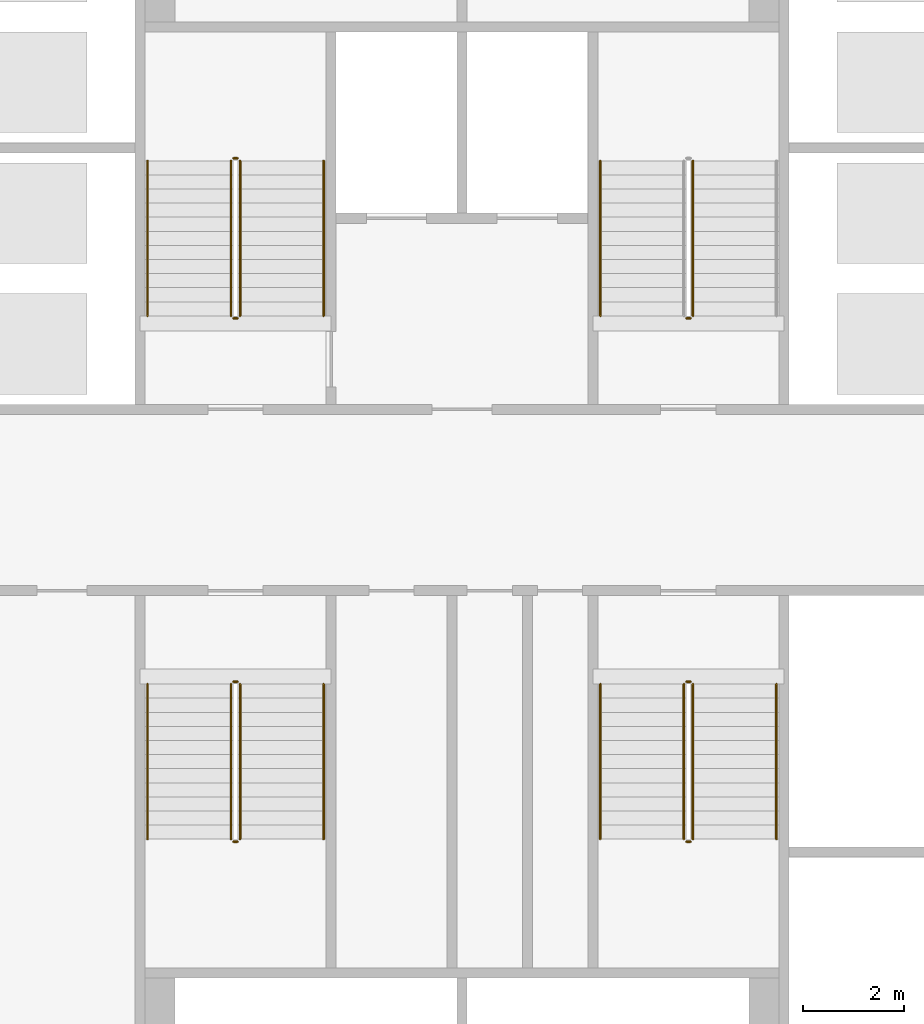
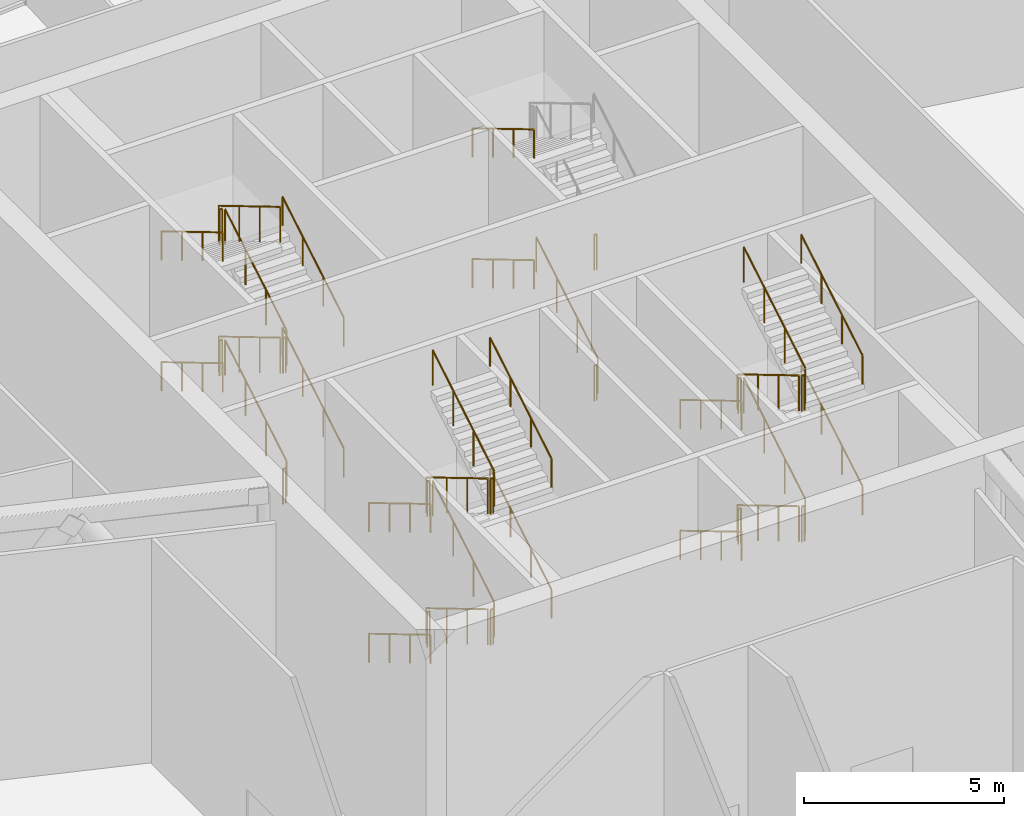
# One storey, part 50 of 55: 41 railings.
"""IFC4 building model written with IfcOpenShell, lengths in metres."""

from ifc_helpers import new_model, si_unit, direction, frame, origin, origin_2d, place, context, subcontext, project, spatial, circle, extrude, material, type_object, element, save


model = new_model("IFC4")

# Units and contexts
model_context = context("Model", 3, precision=1e-05, world=origin(), true_north=direction((0.0, 1.0)))
body_context = subcontext(model_context, "Body", "Model", "MODEL_VIEW")
ifc_project = project(units=[si_unit("LENGTHUNIT", "METRE"), si_unit("AREAUNIT", "SQUARE_METRE"), si_unit("VOLUMEUNIT", "CUBIC_METRE"), si_unit("PLANEANGLEUNIT", "RADIAN"), si_unit("MASSUNIT", "GRAM", prefix="KILO")], contexts=[model_context])

# Site, building, storey
site_placement = place(None, origin())
site = spatial("IfcSite", under=ifc_project, at=site_placement, CompositionType="ELEMENT")
building_placement = place(site_placement, origin())
building = spatial("IfcBuilding", under=site, at=building_placement, Name="Tarsis Ring Headquarters", CompositionType="ELEMENT")
storey_placement = place(building_placement, frame((0.0, 0.0, 247.199951171875)))
storey = spatial("IfcBuildingStorey", under=building, at=storey_placement, Name="L58", CompositionType="ELEMENT", Elevation=247.199951171875)

# Railings
ifc_material = material(Name="Steel S355", Category="steel")
railing_type_1 = type_object("IfcRailingType", Name="Core stair guard 1100", PredefinedType="GUARDRAIL", material=ifc_material)
railing_1_placement = place(storey_placement, frame((-4.409912109375, 3.659912109375, 0.166748046875)))
element("IfcRailing", 1, at=railing_1_placement, inside=storey, type_object=railing_type_1, Name="L58 ST1 stair guard 1", PredefinedType="GUARDRAIL", context=body_context, shape_type="SweptSolid", body=[
    extrude(circle(Radius=0.02392578125, at=origin_2d()), frame((0.0, 0.0, 1.076171875), z_axis=(0.0, 0.859308565015, 0.511457515432), x_axis=(-1.0, 0.0, 0.0)), (0.0, 0.0, 1.0), 3.58447265625),
    extrude(circle(Radius=0.02099609375, at=origin_2d()), origin(), (0.0, 0.0, 1.0), 1.052001953125),
    extrude(circle(Radius=0.02099609375, at=origin_2d()), frame((0.0, 1.026611328125, 0.611083984375)), (0.0, 0.0, 1.0), 1.052001953125),
    extrude(circle(Radius=0.02099609375, at=origin_2d()), frame((0.0, 2.053466796875, 1.22216796875)), (0.0, 0.0, 1.0), 1.052001953125),
    extrude(circle(Radius=0.02099609375, at=origin_2d()), frame((0.0, 3.080078125, 1.833251953125)), (0.0, 0.0, 1.0), 1.052001953125),
])
railing_2_placement = place(storey_placement, frame((-4.4599609375, 6.7900390625, 2.0)))
element("IfcRailing", 2, at=railing_2_placement, inside=storey, type_object=railing_type_1, Name="L58 ST1 stair guard 2", PredefinedType="GUARDRAIL", context=body_context, shape_type="SweptSolid", body=[
    extrude(circle(Radius=0.02392578125, at=origin_2d()), frame((0.0, 0.0, 1.076171875), z_axis=(-1.0, 0.0, 0.0), x_axis=(0.0, -1.0, 0.0)), (0.0, 0.0, 1.0), 0.080078125),
    extrude(circle(Radius=0.02099609375, at=origin_2d()), origin(), (0.0, 0.0, 1.0), 1.052001953125),
    extrude(circle(Radius=0.02099609375, at=origin_2d()), frame((-0.080078125, 0.0, 0.0)), (0.0, 0.0, 1.0), 1.052001953125),
])
railing_3_placement = place(storey_placement, frame((-4.590087890625, 6.739990234375, 2.166748046875)))
element("IfcRailing", 3, at=railing_3_placement, inside=storey, type_object=railing_type_1, Name="L58 ST1 stair guard 3", PredefinedType="GUARDRAIL", context=body_context, shape_type="SweptSolid", body=[
    extrude(circle(Radius=0.02392578125, at=origin_2d()), frame((0.0, 0.0, 1.076171875), z_axis=(0.0, -0.859308565015, 0.511457515432), x_axis=(1.0, 0.0, 0.0)), (0.0, 0.0, 1.0), 3.58447265625),
    extrude(circle(Radius=0.02099609375, at=origin_2d()), origin(), (0.0, 0.0, 1.0), 1.052001953125),
    extrude(circle(Radius=0.02099609375, at=origin_2d()), frame((0.0, -1.026611328125, 0.611083984375)), (0.0, 0.0, 1.0), 1.052001953125),
    extrude(circle(Radius=0.02099609375, at=origin_2d()), frame((0.0, -2.053466796875, 1.22216796875)), (0.0, 0.0, 1.0), 1.052001953125),
    extrude(circle(Radius=0.02099609375, at=origin_2d()), frame((0.0, -3.080078125, 1.833251953125)), (0.0, 0.0, 1.0), 1.052001953125),
])
railing_4_placement = place(storey_placement, frame((-4.4599609375, 3.610107421875, 4.0)))
element("IfcRailing", 4, at=railing_4_placement, inside=storey, type_object=railing_type_1, Name="L58 ST1 stair guard 4", PredefinedType="GUARDRAIL", context=body_context, shape_type="SweptSolid", body=[
    extrude(circle(Radius=0.02392578125, at=origin_2d()), frame((0.0, 0.0, 1.076171875), z_axis=(-1.0, 0.0, 0.0), x_axis=(0.0, -1.0, 0.0)), (0.0, 0.0, 1.0), 0.080078125),
    extrude(circle(Radius=0.02099609375, at=origin_2d()), origin(), (0.0, 0.0, 1.0), 1.052001953125),
    extrude(circle(Radius=0.02099609375, at=origin_2d()), frame((-0.080078125, 0.0, 0.0)), (0.0, 0.0, 1.0), 1.052001953125),
])
railing_5_placement = place(storey_placement, frame((-4.409912109375, 3.659912109375, 4.166748046875)))
element("IfcRailing", 5, at=railing_5_placement, inside=storey, type_object=railing_type_1, Name="L58 ST1 stair guard 5", PredefinedType="GUARDRAIL", context=body_context, shape_type="SweptSolid", body=[
    extrude(circle(Radius=0.02392578125, at=origin_2d()), frame((0.0, 0.0, 1.076171875), z_axis=(0.0, 0.859308565015, 0.511457515432), x_axis=(-1.0, 0.0, 0.0)), (0.0, 0.0, 1.0), 3.58447265625),
    extrude(circle(Radius=0.02099609375, at=origin_2d()), origin(), (0.0, 0.0, 1.0), 1.052001953125),
    extrude(circle(Radius=0.02099609375, at=origin_2d()), frame((0.0, 1.026611328125, 0.611083984375)), (0.0, 0.0, 1.0), 1.052001953125),
    extrude(circle(Radius=0.02099609375, at=origin_2d()), frame((0.0, 2.053466796875, 1.22216796875)), (0.0, 0.0, 1.0), 1.052001953125),
    extrude(circle(Radius=0.02099609375, at=origin_2d()), frame((0.0, 3.080078125, 1.833251953125)), (0.0, 0.0, 1.0), 1.052001953125),
])
railing_6_placement = place(storey_placement, frame((-4.4599609375, 6.7900390625, 6.0)))
element("IfcRailing", 6, at=railing_6_placement, inside=storey, type_object=railing_type_1, Name="L58 ST1 stair guard 6", PredefinedType="GUARDRAIL", context=body_context, shape_type="SweptSolid", body=[
    extrude(circle(Radius=0.02392578125, at=origin_2d()), frame((0.0, 0.0, 1.076171875), z_axis=(-1.0, 0.0, 0.0), x_axis=(0.0, -1.0, 0.0)), (0.0, 0.0, 1.0), 0.080078125),
    extrude(circle(Radius=0.02099609375, at=origin_2d()), origin(), (0.0, 0.0, 1.0), 1.052001953125),
    extrude(circle(Radius=0.02099609375, at=origin_2d()), frame((-0.080078125, 0.0, 0.0)), (0.0, 0.0, 1.0), 1.052001953125),
])
railing_7_placement = place(storey_placement, frame((-4.590087890625, 6.739990234375, 6.166748046875)))
element("IfcRailing", 7, at=railing_7_placement, inside=storey, type_object=railing_type_1, Name="L58 ST1 stair guard 7", PredefinedType="GUARDRAIL", context=body_context, shape_type="SweptSolid", body=[
    extrude(circle(Radius=0.02392578125, at=origin_2d()), frame((0.0, 0.0, 1.076171875), z_axis=(0.0, -0.859308565015, 0.511457515432), x_axis=(1.0, 0.0, 0.0)), (0.0, 0.0, 1.0), 3.58447265625),
    extrude(circle(Radius=0.02099609375, at=origin_2d()), origin(), (0.0, 0.0, 1.0), 1.052001953125),
    extrude(circle(Radius=0.02099609375, at=origin_2d()), frame((0.0, -1.026611328125, 0.611083984375)), (0.0, 0.0, 1.0), 1.052001953125),
    extrude(circle(Radius=0.02099609375, at=origin_2d()), frame((0.0, -2.053466796875, 1.22216796875)), (0.0, 0.0, 1.0), 1.052001953125),
    extrude(circle(Radius=0.02099609375, at=origin_2d()), frame((0.0, -3.080078125, 1.833251953125)), (0.0, 0.0, 1.0), 1.052001953125),
])
railing_8_placement = place(storey_placement, frame((-4.4599609375, 3.610107421875, 0.0)))
element("IfcRailing", 8, at=railing_8_placement, inside=storey, type_object=railing_type_1, Name="L58 ST1 stair guard 8", PredefinedType="GUARDRAIL", context=body_context, shape_type="SweptSolid", body=[
    extrude(circle(Radius=0.02392578125, at=origin_2d()), frame((0.0, 0.0, 1.076171875), z_axis=(-1.0, 0.0, 0.0), x_axis=(0.0, -1.0, 0.0)), (0.0, 0.0, 1.0), 0.080078125),
    extrude(circle(Radius=0.02099609375, at=origin_2d()), origin(), (0.0, 0.0, 1.0), 1.052001953125),
    extrude(circle(Radius=0.02099609375, at=origin_2d()), frame((-0.080078125, 0.0, 0.0)), (0.0, 0.0, 1.0), 1.052001953125),
])
railing_9_placement = place(storey_placement, frame((4.590087890625, 3.659912109375, 0.166748046875)))
element("IfcRailing", 9, at=railing_9_placement, inside=storey, type_object=railing_type_1, Name="L58 ST2 stair guard 1", PredefinedType="GUARDRAIL", context=body_context, shape_type="SweptSolid", body=[
    extrude(circle(Radius=0.02392578125, at=origin_2d()), frame((0.0, 0.0, 1.076171875), z_axis=(0.0, 0.859308565015, 0.511457515432), x_axis=(-1.0, 0.0, 0.0)), (0.0, 0.0, 1.0), 3.58447265625),
    extrude(circle(Radius=0.02099609375, at=origin_2d()), origin(), (0.0, 0.0, 1.0), 1.052001953125),
    extrude(circle(Radius=0.02099609375, at=origin_2d()), frame((0.0, 1.026611328125, 0.611083984375)), (0.0, 0.0, 1.0), 1.052001953125),
    extrude(circle(Radius=0.02099609375, at=origin_2d()), frame((0.0, 2.053466796875, 1.22216796875)), (0.0, 0.0, 1.0), 1.052001953125),
    extrude(circle(Radius=0.02099609375, at=origin_2d()), frame((0.0, 3.080078125, 1.833251953125)), (0.0, 0.0, 1.0), 1.052001953125),
])
for number, where, name in (
    (10, (4.5400390625, 3.610107421875, 4.0), "L58 ST2 stair guard 4"),
    (11, (4.5400390625, 3.610107421875, 0.0), "L58 ST2 stair guard 8"),
):
    element("IfcRailing", number, at=place(storey_placement, frame(where)), inside=storey, type_object=railing_type_1, Name=name, PredefinedType="GUARDRAIL", context=body_context, shape_type="SweptSolid", body=[
        extrude(circle(Radius=0.02392578125, at=origin_2d()), frame((0.0, 0.0, 1.076171875), z_axis=(-1.0, 0.0, 0.0), x_axis=(0.0, -1.0, 0.0)), (0.0, 0.0, 1.0), 0.080078125),
        extrude(circle(Radius=0.02099609375, at=origin_2d()), origin(), (0.0, 0.0, 1.0), 1.052001953125),
        extrude(circle(Radius=0.02099609375, at=origin_2d()), frame((-0.080078125, 0.0, 0.0)), (0.0, 0.0, 1.0), 1.052001953125),
    ])
railing_10_placement = place(storey_placement, frame((-4.590087890625, -3.659912109375, 0.166748046875)))
element("IfcRailing", 12, at=railing_10_placement, inside=storey, type_object=railing_type_1, Name="L58 ST3 stair guard 1", PredefinedType="GUARDRAIL", context=body_context, shape_type="SweptSolid", body=[
    extrude(circle(Radius=0.02392578125, at=origin_2d()), frame((0.0, 0.0, 1.076171875), z_axis=(0.0, -0.859308565015, 0.511457515432), x_axis=(1.0, 0.0, 0.0)), (0.0, 0.0, 1.0), 3.58447265625),
    extrude(circle(Radius=0.02099609375, at=origin_2d()), origin(), (0.0, 0.0, 1.0), 1.052001953125),
    extrude(circle(Radius=0.02099609375, at=origin_2d()), frame((0.0, -1.026611328125, 0.611083984375)), (0.0, 0.0, 1.0), 1.052001953125),
    extrude(circle(Radius=0.02099609375, at=origin_2d()), frame((0.0, -2.053466796875, 1.22216796875)), (0.0, 0.0, 1.0), 1.052001953125),
    extrude(circle(Radius=0.02099609375, at=origin_2d()), frame((0.0, -3.080078125, 1.833251953125)), (0.0, 0.0, 1.0), 1.052001953125),
])
railing_11_placement = place(storey_placement, frame((-4.5400390625, -6.7900390625, 2.0)))
element("IfcRailing", 13, at=railing_11_placement, inside=storey, type_object=railing_type_1, Name="L58 ST3 stair guard 2", PredefinedType="GUARDRAIL", context=body_context, shape_type="SweptSolid", body=[
    extrude(circle(Radius=0.02392578125, at=origin_2d()), frame((0.0, 0.0, 1.076171875), z_axis=(1.0, 0.0, 0.0), x_axis=(0.0, 1.0, 0.0)), (0.0, 0.0, 1.0), 0.080078125),
    extrude(circle(Radius=0.02099609375, at=origin_2d()), origin(), (0.0, 0.0, 1.0), 1.052001953125),
    extrude(circle(Radius=0.02099609375, at=origin_2d()), frame((0.080078125, 0.0, 0.0)), (0.0, 0.0, 1.0), 1.052001953125),
])
railing_12_placement = place(storey_placement, frame((-4.409912109375, -6.739990234375, 2.166748046875)))
element("IfcRailing", 14, at=railing_12_placement, inside=storey, type_object=railing_type_1, Name="L58 ST3 stair guard 3", PredefinedType="GUARDRAIL", context=body_context, shape_type="SweptSolid", body=[
    extrude(circle(Radius=0.02392578125, at=origin_2d()), frame((0.0, 0.0, 1.076171875), z_axis=(0.0, 0.859308565015, 0.511457515432), x_axis=(-1.0, 0.0, 0.0)), (0.0, 0.0, 1.0), 3.58447265625),
    extrude(circle(Radius=0.02099609375, at=origin_2d()), origin(), (0.0, 0.0, 1.0), 1.052001953125),
    extrude(circle(Radius=0.02099609375, at=origin_2d()), frame((0.0, 1.026611328125, 0.611083984375)), (0.0, 0.0, 1.0), 1.052001953125),
    extrude(circle(Radius=0.02099609375, at=origin_2d()), frame((0.0, 2.053466796875, 1.22216796875)), (0.0, 0.0, 1.0), 1.052001953125),
    extrude(circle(Radius=0.02099609375, at=origin_2d()), frame((0.0, 3.080078125, 1.833251953125)), (0.0, 0.0, 1.0), 1.052001953125),
])
railing_13_placement = place(storey_placement, frame((-4.5400390625, -3.610107421875, 4.0)))
element("IfcRailing", 15, at=railing_13_placement, inside=storey, type_object=railing_type_1, Name="L58 ST3 stair guard 4", PredefinedType="GUARDRAIL", context=body_context, shape_type="SweptSolid", body=[
    extrude(circle(Radius=0.02392578125, at=origin_2d()), frame((0.0, 0.0, 1.076171875), z_axis=(1.0, 0.0, 0.0), x_axis=(0.0, 1.0, 0.0)), (0.0, 0.0, 1.0), 0.080078125),
    extrude(circle(Radius=0.02099609375, at=origin_2d()), origin(), (0.0, 0.0, 1.0), 1.052001953125),
    extrude(circle(Radius=0.02099609375, at=origin_2d()), frame((0.080078125, 0.0, 0.0)), (0.0, 0.0, 1.0), 1.052001953125),
])
railing_14_placement = place(storey_placement, frame((-4.590087890625, -3.659912109375, 4.166748046875)))
element("IfcRailing", 16, at=railing_14_placement, inside=storey, type_object=railing_type_1, Name="L58 ST3 stair guard 5", PredefinedType="GUARDRAIL", context=body_context, shape_type="SweptSolid", body=[
    extrude(circle(Radius=0.02392578125, at=origin_2d()), frame((0.0, 0.0, 1.076171875), z_axis=(0.0, -0.859308565015, 0.511457515432), x_axis=(1.0, 0.0, 0.0)), (0.0, 0.0, 1.0), 3.58447265625),
    extrude(circle(Radius=0.02099609375, at=origin_2d()), origin(), (0.0, 0.0, 1.0), 1.052001953125),
    extrude(circle(Radius=0.02099609375, at=origin_2d()), frame((0.0, -1.026611328125, 0.611083984375)), (0.0, 0.0, 1.0), 1.052001953125),
    extrude(circle(Radius=0.02099609375, at=origin_2d()), frame((0.0, -2.053466796875, 1.22216796875)), (0.0, 0.0, 1.0), 1.052001953125),
    extrude(circle(Radius=0.02099609375, at=origin_2d()), frame((0.0, -3.080078125, 1.833251953125)), (0.0, 0.0, 1.0), 1.052001953125),
])
railing_15_placement = place(storey_placement, frame((-4.5400390625, -6.7900390625, 6.0)))
element("IfcRailing", 17, at=railing_15_placement, inside=storey, type_object=railing_type_1, Name="L58 ST3 stair guard 6", PredefinedType="GUARDRAIL", context=body_context, shape_type="SweptSolid", body=[
    extrude(circle(Radius=0.02392578125, at=origin_2d()), frame((0.0, 0.0, 1.076171875), z_axis=(1.0, 0.0, 0.0), x_axis=(0.0, 1.0, 0.0)), (0.0, 0.0, 1.0), 0.080078125),
    extrude(circle(Radius=0.02099609375, at=origin_2d()), origin(), (0.0, 0.0, 1.0), 1.052001953125),
    extrude(circle(Radius=0.02099609375, at=origin_2d()), frame((0.080078125, 0.0, 0.0)), (0.0, 0.0, 1.0), 1.052001953125),
])
railing_16_placement = place(storey_placement, frame((-4.409912109375, -6.739990234375, 6.166748046875)))
element("IfcRailing", 18, at=railing_16_placement, inside=storey, type_object=railing_type_1, Name="L58 ST3 stair guard 7", PredefinedType="GUARDRAIL", context=body_context, shape_type="SweptSolid", body=[
    extrude(circle(Radius=0.02392578125, at=origin_2d()), frame((0.0, 0.0, 1.076171875), z_axis=(0.0, 0.859308565015, 0.511457515432), x_axis=(-1.0, 0.0, 0.0)), (0.0, 0.0, 1.0), 3.58447265625),
    extrude(circle(Radius=0.02099609375, at=origin_2d()), origin(), (0.0, 0.0, 1.0), 1.052001953125),
    extrude(circle(Radius=0.02099609375, at=origin_2d()), frame((0.0, 1.026611328125, 0.611083984375)), (0.0, 0.0, 1.0), 1.052001953125),
    extrude(circle(Radius=0.02099609375, at=origin_2d()), frame((0.0, 2.053466796875, 1.22216796875)), (0.0, 0.0, 1.0), 1.052001953125),
    extrude(circle(Radius=0.02099609375, at=origin_2d()), frame((0.0, 3.080078125, 1.833251953125)), (0.0, 0.0, 1.0), 1.052001953125),
])
railing_17_placement = place(storey_placement, frame((-4.5400390625, -3.610107421875, 0.0)))
element("IfcRailing", 19, at=railing_17_placement, inside=storey, type_object=railing_type_1, Name="L58 ST3 stair guard 8", PredefinedType="GUARDRAIL", context=body_context, shape_type="SweptSolid", body=[
    extrude(circle(Radius=0.02392578125, at=origin_2d()), frame((0.0, 0.0, 1.076171875), z_axis=(1.0, 0.0, 0.0), x_axis=(0.0, 1.0, 0.0)), (0.0, 0.0, 1.0), 0.080078125),
    extrude(circle(Radius=0.02099609375, at=origin_2d()), origin(), (0.0, 0.0, 1.0), 1.052001953125),
    extrude(circle(Radius=0.02099609375, at=origin_2d()), frame((0.080078125, 0.0, 0.0)), (0.0, 0.0, 1.0), 1.052001953125),
])
railing_18_placement = place(storey_placement, frame((4.409912109375, -3.659912109375, 0.166748046875)))
element("IfcRailing", 20, at=railing_18_placement, inside=storey, type_object=railing_type_1, Name="L58 ST4 stair guard 1", PredefinedType="GUARDRAIL", context=body_context, shape_type="SweptSolid", body=[
    extrude(circle(Radius=0.02392578125, at=origin_2d()), frame((0.0, 0.0, 1.076171875), z_axis=(0.0, -0.859308565015, 0.511457515432), x_axis=(1.0, 0.0, 0.0)), (0.0, 0.0, 1.0), 3.58447265625),
    extrude(circle(Radius=0.02099609375, at=origin_2d()), origin(), (0.0, 0.0, 1.0), 1.052001953125),
    extrude(circle(Radius=0.02099609375, at=origin_2d()), frame((0.0, -1.026611328125, 0.611083984375)), (0.0, 0.0, 1.0), 1.052001953125),
    extrude(circle(Radius=0.02099609375, at=origin_2d()), frame((0.0, -2.053466796875, 1.22216796875)), (0.0, 0.0, 1.0), 1.052001953125),
    extrude(circle(Radius=0.02099609375, at=origin_2d()), frame((0.0, -3.080078125, 1.833251953125)), (0.0, 0.0, 1.0), 1.052001953125),
])
railing_19_placement = place(storey_placement, frame((4.4599609375, -6.7900390625, 2.0)))
element("IfcRailing", 21, at=railing_19_placement, inside=storey, type_object=railing_type_1, Name="L58 ST4 stair guard 2", PredefinedType="GUARDRAIL", context=body_context, shape_type="SweptSolid", body=[
    extrude(circle(Radius=0.02392578125, at=origin_2d()), frame((0.0, 0.0, 1.076171875), z_axis=(1.0, 0.0, 0.0), x_axis=(0.0, 1.0, 0.0)), (0.0, 0.0, 1.0), 0.080078125),
    extrude(circle(Radius=0.02099609375, at=origin_2d()), origin(), (0.0, 0.0, 1.0), 1.052001953125),
    extrude(circle(Radius=0.02099609375, at=origin_2d()), frame((0.080078125, 0.0, 0.0)), (0.0, 0.0, 1.0), 1.052001953125),
])
railing_20_placement = place(storey_placement, frame((4.590087890625, -6.739990234375, 2.166748046875)))
element("IfcRailing", 22, at=railing_20_placement, inside=storey, type_object=railing_type_1, Name="L58 ST4 stair guard 3", PredefinedType="GUARDRAIL", context=body_context, shape_type="SweptSolid", body=[
    extrude(circle(Radius=0.02392578125, at=origin_2d()), frame((0.0, 0.0, 1.076171875), z_axis=(0.0, 0.859308565015, 0.511457515432), x_axis=(-1.0, 0.0, 0.0)), (0.0, 0.0, 1.0), 3.58447265625),
    extrude(circle(Radius=0.02099609375, at=origin_2d()), origin(), (0.0, 0.0, 1.0), 1.052001953125),
    extrude(circle(Radius=0.02099609375, at=origin_2d()), frame((0.0, 1.026611328125, 0.611083984375)), (0.0, 0.0, 1.0), 1.052001953125),
    extrude(circle(Radius=0.02099609375, at=origin_2d()), frame((0.0, 2.053466796875, 1.22216796875)), (0.0, 0.0, 1.0), 1.052001953125),
    extrude(circle(Radius=0.02099609375, at=origin_2d()), frame((0.0, 3.080078125, 1.833251953125)), (0.0, 0.0, 1.0), 1.052001953125),
])
railing_21_placement = place(storey_placement, frame((4.4599609375, -3.610107421875, 4.0)))
element("IfcRailing", 23, at=railing_21_placement, inside=storey, type_object=railing_type_1, Name="L58 ST4 stair guard 4", PredefinedType="GUARDRAIL", context=body_context, shape_type="SweptSolid", body=[
    extrude(circle(Radius=0.02392578125, at=origin_2d()), frame((0.0, 0.0, 1.076171875), z_axis=(1.0, 0.0, 0.0), x_axis=(0.0, 1.0, 0.0)), (0.0, 0.0, 1.0), 0.080078125),
    extrude(circle(Radius=0.02099609375, at=origin_2d()), origin(), (0.0, 0.0, 1.0), 1.052001953125),
    extrude(circle(Radius=0.02099609375, at=origin_2d()), frame((0.080078125, 0.0, 0.0)), (0.0, 0.0, 1.0), 1.052001953125),
])
railing_22_placement = place(storey_placement, frame((4.409912109375, -3.659912109375, 4.166748046875)))
element("IfcRailing", 24, at=railing_22_placement, inside=storey, type_object=railing_type_1, Name="L58 ST4 stair guard 5", PredefinedType="GUARDRAIL", context=body_context, shape_type="SweptSolid", body=[
    extrude(circle(Radius=0.02392578125, at=origin_2d()), frame((0.0, 0.0, 1.076171875), z_axis=(0.0, -0.859308565015, 0.511457515432), x_axis=(1.0, 0.0, 0.0)), (0.0, 0.0, 1.0), 3.58447265625),
    extrude(circle(Radius=0.02099609375, at=origin_2d()), origin(), (0.0, 0.0, 1.0), 1.052001953125),
    extrude(circle(Radius=0.02099609375, at=origin_2d()), frame((0.0, -1.026611328125, 0.611083984375)), (0.0, 0.0, 1.0), 1.052001953125),
    extrude(circle(Radius=0.02099609375, at=origin_2d()), frame((0.0, -2.053466796875, 1.22216796875)), (0.0, 0.0, 1.0), 1.052001953125),
    extrude(circle(Radius=0.02099609375, at=origin_2d()), frame((0.0, -3.080078125, 1.833251953125)), (0.0, 0.0, 1.0), 1.052001953125),
])
railing_23_placement = place(storey_placement, frame((4.4599609375, -6.7900390625, 6.0)))
element("IfcRailing", 25, at=railing_23_placement, inside=storey, type_object=railing_type_1, Name="L58 ST4 stair guard 6", PredefinedType="GUARDRAIL", context=body_context, shape_type="SweptSolid", body=[
    extrude(circle(Radius=0.02392578125, at=origin_2d()), frame((0.0, 0.0, 1.076171875), z_axis=(1.0, 0.0, 0.0), x_axis=(0.0, 1.0, 0.0)), (0.0, 0.0, 1.0), 0.080078125),
    extrude(circle(Radius=0.02099609375, at=origin_2d()), origin(), (0.0, 0.0, 1.0), 1.052001953125),
    extrude(circle(Radius=0.02099609375, at=origin_2d()), frame((0.080078125, 0.0, 0.0)), (0.0, 0.0, 1.0), 1.052001953125),
])
railing_24_placement = place(storey_placement, frame((4.590087890625, -6.739990234375, 6.166748046875)))
element("IfcRailing", 26, at=railing_24_placement, inside=storey, type_object=railing_type_1, Name="L58 ST4 stair guard 7", PredefinedType="GUARDRAIL", context=body_context, shape_type="SweptSolid", body=[
    extrude(circle(Radius=0.02392578125, at=origin_2d()), frame((0.0, 0.0, 1.076171875), z_axis=(0.0, 0.859308565015, 0.511457515432), x_axis=(-1.0, 0.0, 0.0)), (0.0, 0.0, 1.0), 3.58447265625),
    extrude(circle(Radius=0.02099609375, at=origin_2d()), origin(), (0.0, 0.0, 1.0), 1.052001953125),
    extrude(circle(Radius=0.02099609375, at=origin_2d()), frame((0.0, 1.026611328125, 0.611083984375)), (0.0, 0.0, 1.0), 1.052001953125),
    extrude(circle(Radius=0.02099609375, at=origin_2d()), frame((0.0, 2.053466796875, 1.22216796875)), (0.0, 0.0, 1.0), 1.052001953125),
    extrude(circle(Radius=0.02099609375, at=origin_2d()), frame((0.0, 3.080078125, 1.833251953125)), (0.0, 0.0, 1.0), 1.052001953125),
])
railing_25_placement = place(storey_placement, frame((4.4599609375, -3.610107421875, 0.0)))
element("IfcRailing", 27, at=railing_25_placement, inside=storey, type_object=railing_type_1, Name="L58 ST4 stair guard 8", PredefinedType="GUARDRAIL", context=body_context, shape_type="SweptSolid", body=[
    extrude(circle(Radius=0.02392578125, at=origin_2d()), frame((0.0, 0.0, 1.076171875), z_axis=(1.0, 0.0, 0.0), x_axis=(0.0, 1.0, 0.0)), (0.0, 0.0, 1.0), 0.080078125),
    extrude(circle(Radius=0.02099609375, at=origin_2d()), origin(), (0.0, 0.0, 1.0), 1.052001953125),
    extrude(circle(Radius=0.02099609375, at=origin_2d()), frame((0.080078125, 0.0, 0.0)), (0.0, 0.0, 1.0), 1.052001953125),
])
railing_type_2 = type_object("IfcRailingType", Name="Core stair handrail 900", PredefinedType="HANDRAIL", material=ifc_material)
railing_26_placement = place(storey_placement, frame((-2.75, 3.659912109375, 0.166748046875)))
element("IfcRailing", 28, at=railing_26_placement, inside=storey, type_object=railing_type_2, Name="L58 ST1 stair handrail 1", PredefinedType="HANDRAIL", context=body_context, shape_type="SweptSolid", body=[
    extrude(circle(Radius=0.02392578125, at=origin_2d()), frame((0.0, 0.0, 0.8759765625), z_axis=(0.0, 0.859308565015, 0.511457515432), x_axis=(-1.0, 0.0, 0.0)), (0.0, 0.0, 1.0), 3.58447265625),
    extrude(circle(Radius=0.02099609375, at=origin_2d()), origin(), (0.0, 0.0, 1.0), 0.851806640625),
    extrude(circle(Radius=0.02099609375, at=origin_2d()), frame((0.0, 1.026611328125, 0.611083984375)), (0.0, 0.0, 1.0), 0.851806640625),
    extrude(circle(Radius=0.02099609375, at=origin_2d()), frame((0.0, 2.053466796875, 1.22216796875)), (0.0, 0.0, 1.0), 0.851806640625),
    extrude(circle(Radius=0.02099609375, at=origin_2d()), frame((0.0, 3.080078125, 1.833251953125)), (0.0, 0.0, 1.0), 0.851806640625),
])
railing_27_placement = place(storey_placement, frame((-6.25, 6.739990234375, 2.166748046875)))
element("IfcRailing", 29, at=railing_27_placement, inside=storey, type_object=railing_type_2, Name="L58 ST1 stair handrail 2", PredefinedType="HANDRAIL", context=body_context, shape_type="SweptSolid", body=[
    extrude(circle(Radius=0.02392578125, at=origin_2d()), frame((0.0, 0.0, 0.8759765625), z_axis=(0.0, -0.859308565015, 0.511457515432), x_axis=(1.0, 0.0, 0.0)), (0.0, 0.0, 1.0), 3.58447265625),
    extrude(circle(Radius=0.02099609375, at=origin_2d()), origin(), (0.0, 0.0, 1.0), 0.851806640625),
    extrude(circle(Radius=0.02099609375, at=origin_2d()), frame((0.0, -1.026611328125, 0.611083984375)), (0.0, 0.0, 1.0), 0.851806640625),
    extrude(circle(Radius=0.02099609375, at=origin_2d()), frame((0.0, -2.053466796875, 1.22216796875)), (0.0, 0.0, 1.0), 0.851806640625),
    extrude(circle(Radius=0.02099609375, at=origin_2d()), frame((0.0, -3.080078125, 1.833251953125)), (0.0, 0.0, 1.0), 0.851806640625),
])
railing_28_placement = place(storey_placement, frame((-2.75, 3.659912109375, 4.166748046875)))
element("IfcRailing", 30, at=railing_28_placement, inside=storey, type_object=railing_type_2, Name="L58 ST1 stair handrail 3", PredefinedType="HANDRAIL", context=body_context, shape_type="SweptSolid", body=[
    extrude(circle(Radius=0.02392578125, at=origin_2d()), frame((0.0, 0.0, 0.8759765625), z_axis=(0.0, 0.859308565015, 0.511457515432), x_axis=(-1.0, 0.0, 0.0)), (0.0, 0.0, 1.0), 3.58447265625),
    extrude(circle(Radius=0.02099609375, at=origin_2d()), origin(), (0.0, 0.0, 1.0), 0.851806640625),
    extrude(circle(Radius=0.02099609375, at=origin_2d()), frame((0.0, 1.026611328125, 0.611083984375)), (0.0, 0.0, 1.0), 0.851806640625),
    extrude(circle(Radius=0.02099609375, at=origin_2d()), frame((0.0, 2.053466796875, 1.22216796875)), (0.0, 0.0, 1.0), 0.851806640625),
    extrude(circle(Radius=0.02099609375, at=origin_2d()), frame((0.0, 3.080078125, 1.833251953125)), (0.0, 0.0, 1.0), 0.851806640625),
])
for number, where, name in (
    (31, (-6.25, 6.739990234375, 6.166748046875), "L58 ST1 stair handrail 4"),
    (32, (2.75, 6.739990234375, 2.166748046875), "L58 ST2 stair handrail 2"),
    (33, (2.75, 6.739990234375, 6.166748046875), "L58 ST2 stair handrail 4"),
    (34, (-6.25, -3.659912109375, 0.166748046875), "L58 ST3 stair handrail 1"),
):
    element("IfcRailing", number, at=place(storey_placement, frame(where)), inside=storey, type_object=railing_type_2, Name=name, PredefinedType="HANDRAIL", context=body_context, shape_type="SweptSolid", body=[
        extrude(circle(Radius=0.02392578125, at=origin_2d()), frame((0.0, 0.0, 0.8759765625), z_axis=(0.0, -0.859308565015, 0.511457515432), x_axis=(1.0, 0.0, 0.0)), (0.0, 0.0, 1.0), 3.58447265625),
        extrude(circle(Radius=0.02099609375, at=origin_2d()), origin(), (0.0, 0.0, 1.0), 0.851806640625),
        extrude(circle(Radius=0.02099609375, at=origin_2d()), frame((0.0, -1.026611328125, 0.611083984375)), (0.0, 0.0, 1.0), 0.851806640625),
        extrude(circle(Radius=0.02099609375, at=origin_2d()), frame((0.0, -2.053466796875, 1.22216796875)), (0.0, 0.0, 1.0), 0.851806640625),
        extrude(circle(Radius=0.02099609375, at=origin_2d()), frame((0.0, -3.080078125, 1.833251953125)), (0.0, 0.0, 1.0), 0.851806640625),
    ])
railing_29_placement = place(storey_placement, frame((-2.75, -6.739990234375, 2.166748046875)))
element("IfcRailing", 35, at=railing_29_placement, inside=storey, type_object=railing_type_2, Name="L58 ST3 stair handrail 2", PredefinedType="HANDRAIL", context=body_context, shape_type="SweptSolid", body=[
    extrude(circle(Radius=0.02392578125, at=origin_2d()), frame((0.0, 0.0, 0.8759765625), z_axis=(0.0, 0.859308565015, 0.511457515432), x_axis=(-1.0, 0.0, 0.0)), (0.0, 0.0, 1.0), 3.58447265625),
    extrude(circle(Radius=0.02099609375, at=origin_2d()), origin(), (0.0, 0.0, 1.0), 0.851806640625),
    extrude(circle(Radius=0.02099609375, at=origin_2d()), frame((0.0, 1.026611328125, 0.611083984375)), (0.0, 0.0, 1.0), 0.851806640625),
    extrude(circle(Radius=0.02099609375, at=origin_2d()), frame((0.0, 2.053466796875, 1.22216796875)), (0.0, 0.0, 1.0), 0.851806640625),
    extrude(circle(Radius=0.02099609375, at=origin_2d()), frame((0.0, 3.080078125, 1.833251953125)), (0.0, 0.0, 1.0), 0.851806640625),
])
railing_30_placement = place(storey_placement, frame((-6.25, -3.659912109375, 4.166748046875)))
element("IfcRailing", 36, at=railing_30_placement, inside=storey, type_object=railing_type_2, Name="L58 ST3 stair handrail 3", PredefinedType="HANDRAIL", context=body_context, shape_type="SweptSolid", body=[
    extrude(circle(Radius=0.02392578125, at=origin_2d()), frame((0.0, 0.0, 0.8759765625), z_axis=(0.0, -0.859308565015, 0.511457515432), x_axis=(1.0, 0.0, 0.0)), (0.0, 0.0, 1.0), 3.58447265625),
    extrude(circle(Radius=0.02099609375, at=origin_2d()), origin(), (0.0, 0.0, 1.0), 0.851806640625),
    extrude(circle(Radius=0.02099609375, at=origin_2d()), frame((0.0, -1.026611328125, 0.611083984375)), (0.0, 0.0, 1.0), 0.851806640625),
    extrude(circle(Radius=0.02099609375, at=origin_2d()), frame((0.0, -2.053466796875, 1.22216796875)), (0.0, 0.0, 1.0), 0.851806640625),
    extrude(circle(Radius=0.02099609375, at=origin_2d()), frame((0.0, -3.080078125, 1.833251953125)), (0.0, 0.0, 1.0), 0.851806640625),
])
railing_31_placement = place(storey_placement, frame((-2.75, -6.739990234375, 6.166748046875)))
element("IfcRailing", 37, at=railing_31_placement, inside=storey, type_object=railing_type_2, Name="L58 ST3 stair handrail 4", PredefinedType="HANDRAIL", context=body_context, shape_type="SweptSolid", body=[
    extrude(circle(Radius=0.02392578125, at=origin_2d()), frame((0.0, 0.0, 0.8759765625), z_axis=(0.0, 0.859308565015, 0.511457515432), x_axis=(-1.0, 0.0, 0.0)), (0.0, 0.0, 1.0), 3.58447265625),
    extrude(circle(Radius=0.02099609375, at=origin_2d()), origin(), (0.0, 0.0, 1.0), 0.851806640625),
    extrude(circle(Radius=0.02099609375, at=origin_2d()), frame((0.0, 1.026611328125, 0.611083984375)), (0.0, 0.0, 1.0), 0.851806640625),
    extrude(circle(Radius=0.02099609375, at=origin_2d()), frame((0.0, 2.053466796875, 1.22216796875)), (0.0, 0.0, 1.0), 0.851806640625),
    extrude(circle(Radius=0.02099609375, at=origin_2d()), frame((0.0, 3.080078125, 1.833251953125)), (0.0, 0.0, 1.0), 0.851806640625),
])
railing_32_placement = place(storey_placement, frame((2.75, -3.659912109375, 0.166748046875)))
element("IfcRailing", 38, at=railing_32_placement, inside=storey, type_object=railing_type_2, Name="L58 ST4 stair handrail 1", PredefinedType="HANDRAIL", context=body_context, shape_type="SweptSolid", body=[
    extrude(circle(Radius=0.02392578125, at=origin_2d()), frame((0.0, 0.0, 0.8759765625), z_axis=(0.0, -0.859308565015, 0.511457515432), x_axis=(1.0, 0.0, 0.0)), (0.0, 0.0, 1.0), 3.58447265625),
    extrude(circle(Radius=0.02099609375, at=origin_2d()), origin(), (0.0, 0.0, 1.0), 0.851806640625),
    extrude(circle(Radius=0.02099609375, at=origin_2d()), frame((0.0, -1.026611328125, 0.611083984375)), (0.0, 0.0, 1.0), 0.851806640625),
    extrude(circle(Radius=0.02099609375, at=origin_2d()), frame((0.0, -2.053466796875, 1.22216796875)), (0.0, 0.0, 1.0), 0.851806640625),
    extrude(circle(Radius=0.02099609375, at=origin_2d()), frame((0.0, -3.080078125, 1.833251953125)), (0.0, 0.0, 1.0), 0.851806640625),
])
railing_33_placement = place(storey_placement, frame((6.25, -6.739990234375, 2.166748046875)))
element("IfcRailing", 39, at=railing_33_placement, inside=storey, type_object=railing_type_2, Name="L58 ST4 stair handrail 2", PredefinedType="HANDRAIL", context=body_context, shape_type="SweptSolid", body=[
    extrude(circle(Radius=0.02392578125, at=origin_2d()), frame((0.0, 0.0, 0.8759765625), z_axis=(0.0, 0.859308565015, 0.511457515432), x_axis=(-1.0, 0.0, 0.0)), (0.0, 0.0, 1.0), 3.58447265625),
    extrude(circle(Radius=0.02099609375, at=origin_2d()), origin(), (0.0, 0.0, 1.0), 0.851806640625),
    extrude(circle(Radius=0.02099609375, at=origin_2d()), frame((0.0, 1.026611328125, 0.611083984375)), (0.0, 0.0, 1.0), 0.851806640625),
    extrude(circle(Radius=0.02099609375, at=origin_2d()), frame((0.0, 2.053466796875, 1.22216796875)), (0.0, 0.0, 1.0), 0.851806640625),
    extrude(circle(Radius=0.02099609375, at=origin_2d()), frame((0.0, 3.080078125, 1.833251953125)), (0.0, 0.0, 1.0), 0.851806640625),
])
railing_34_placement = place(storey_placement, frame((2.75, -3.659912109375, 4.166748046875)))
element("IfcRailing", 40, at=railing_34_placement, inside=storey, type_object=railing_type_2, Name="L58 ST4 stair handrail 3", PredefinedType="HANDRAIL", context=body_context, shape_type="SweptSolid", body=[
    extrude(circle(Radius=0.02392578125, at=origin_2d()), frame((0.0, 0.0, 0.8759765625), z_axis=(0.0, -0.859308565015, 0.511457515432), x_axis=(1.0, 0.0, 0.0)), (0.0, 0.0, 1.0), 3.58447265625),
    extrude(circle(Radius=0.02099609375, at=origin_2d()), origin(), (0.0, 0.0, 1.0), 0.851806640625),
    extrude(circle(Radius=0.02099609375, at=origin_2d()), frame((0.0, -1.026611328125, 0.611083984375)), (0.0, 0.0, 1.0), 0.851806640625),
    extrude(circle(Radius=0.02099609375, at=origin_2d()), frame((0.0, -2.053466796875, 1.22216796875)), (0.0, 0.0, 1.0), 0.851806640625),
    extrude(circle(Radius=0.02099609375, at=origin_2d()), frame((0.0, -3.080078125, 1.833251953125)), (0.0, 0.0, 1.0), 0.851806640625),
])
railing_35_placement = place(storey_placement, frame((6.25, -6.739990234375, 6.166748046875)))
element("IfcRailing", 41, at=railing_35_placement, inside=storey, type_object=railing_type_2, Name="L58 ST4 stair handrail 4", PredefinedType="HANDRAIL", context=body_context, shape_type="SweptSolid", body=[
    extrude(circle(Radius=0.02392578125, at=origin_2d()), frame((0.0, 0.0, 0.8759765625), z_axis=(0.0, 0.859308565015, 0.511457515432), x_axis=(-1.0, 0.0, 0.0)), (0.0, 0.0, 1.0), 3.58447265625),
    extrude(circle(Radius=0.02099609375, at=origin_2d()), origin(), (0.0, 0.0, 1.0), 0.851806640625),
    extrude(circle(Radius=0.02099609375, at=origin_2d()), frame((0.0, 1.026611328125, 0.611083984375)), (0.0, 0.0, 1.0), 0.851806640625),
    extrude(circle(Radius=0.02099609375, at=origin_2d()), frame((0.0, 2.053466796875, 1.22216796875)), (0.0, 0.0, 1.0), 0.851806640625),
    extrude(circle(Radius=0.02099609375, at=origin_2d()), frame((0.0, 3.080078125, 1.833251953125)), (0.0, 0.0, 1.0), 0.851806640625),
])

save(model, "model.ifc")
